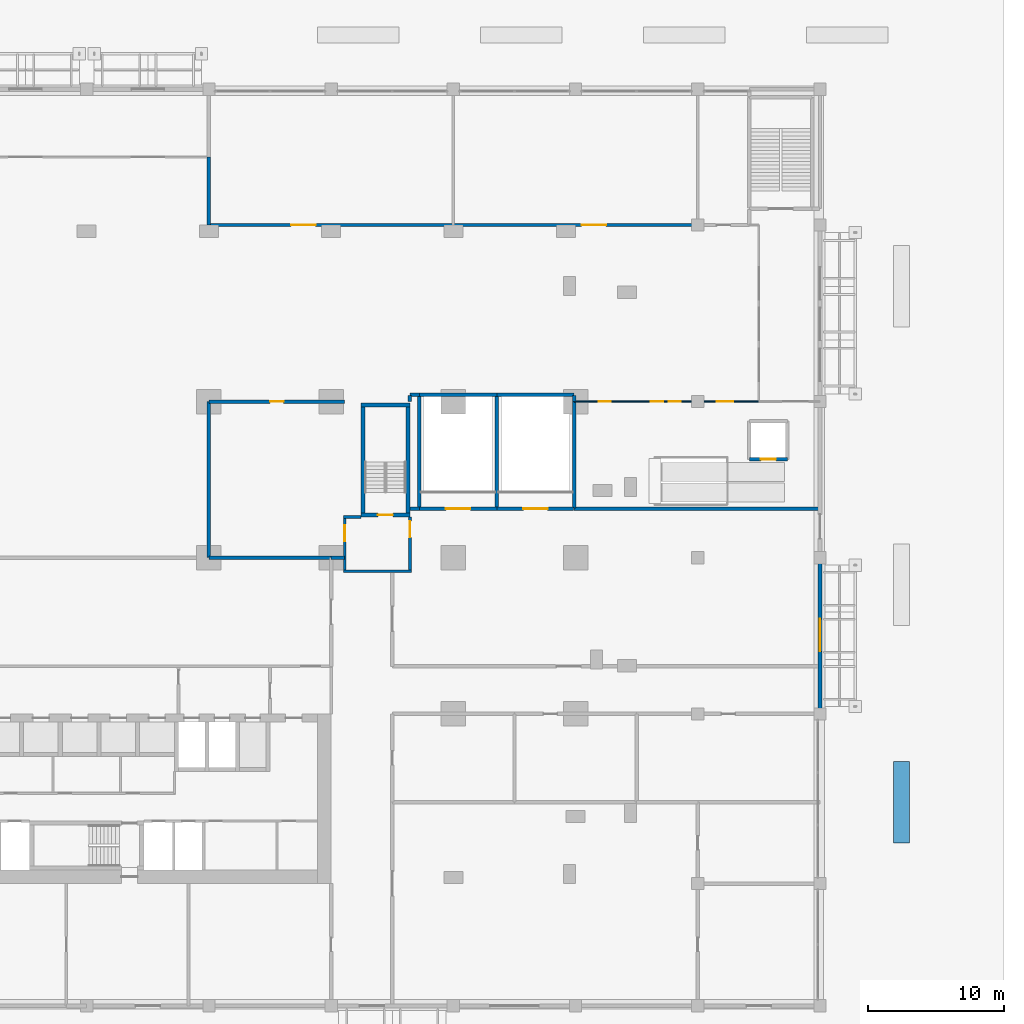
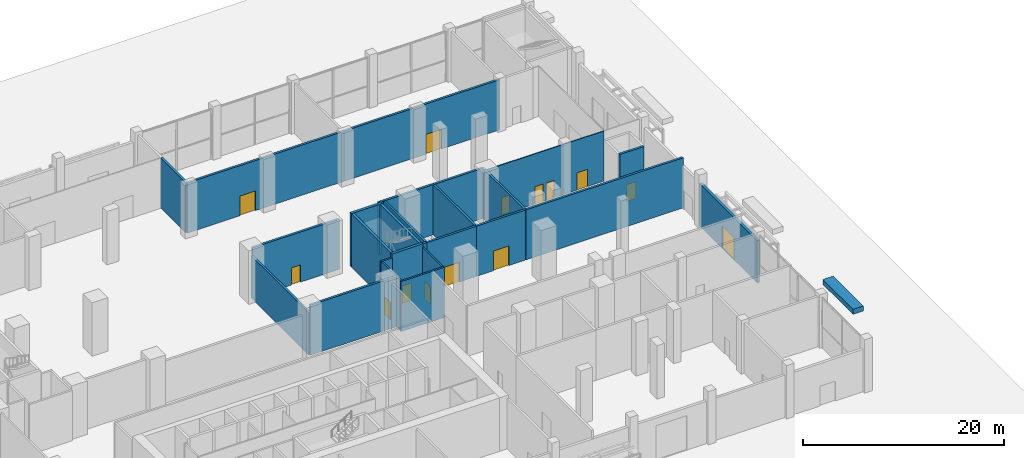
# One storey, part 34 of 39: 31 walls, 14 doors, 14 openings.
"""IFC4 building model written with IfcOpenShell, lengths in metres."""

from ifc_helpers import new_model, si_unit, direction, frame, frame_2d, origin, place, context, subcontext, project, spatial, rectangle, extrude, material, layer, layer_set, type_object, element, fill, save


model = new_model("IFC4")

# Units and contexts
model_context = context("Model", 3, precision=1e-05, world=origin(), true_north=direction((0.0, 1.0)))
body_context = subcontext(model_context, "Body", "Model", "MODEL_VIEW")
ifc_project = project(units=[si_unit("LENGTHUNIT", "METRE"), si_unit("AREAUNIT", "SQUARE_METRE"), si_unit("VOLUMEUNIT", "CUBIC_METRE"), si_unit("PLANEANGLEUNIT", "RADIAN"), si_unit("MASSUNIT", "GRAM", prefix="KILO")], contexts=[model_context])

# Site, building, storey
site_placement = place(None, origin())
site = spatial("IfcSite", under=ifc_project, at=site_placement, CompositionType="ELEMENT")
building_placement = place(site_placement, origin())
building = spatial("IfcBuilding", under=site, at=building_placement, Name="Brigalow Station Residences", CompositionType="ELEMENT")
storey_placement = place(building_placement, origin())
storey = spatial("IfcBuildingStorey", under=building, at=storey_placement, Name="L00", CompositionType="ELEMENT", Elevation=0.0)

# Wall, opening, door
ifc_material_1 = material(Name="Concrete C80", Category="concrete")
ifc_layer_1 = layer(ifc_material_1, 0.300048828125)
ifc_layer_set_1 = layer_set([ifc_layer_1], Name="CORE SHEAR WALL 300 C80")
wall_type_1 = type_object("IfcWallType", Name="CORE SHEAR WALL 300 C80", PredefinedType="SHEAR", material=ifc_layer_set_1)
wall_1_placement = place(storey_placement, frame((56.199951171875, 27.14990234375, 0.0), z_axis=(0.0, 0.0, 1.0), x_axis=(1.0, 0.0, 0.0)))
wall_1 = element("IfcWall", 1, at=wall_1_placement, inside=storey, type_object=wall_type_1, Name="CORE WALL ST-S3-S L00", PredefinedType="SHEAR", context=body_context, shape_type="SweptSolid", body=[
    extrude(rectangle(XDim=3.60009765625, YDim=0.300048828125, at=frame_2d((1.800048828125, 0.0))), origin(), (0.0, 0.0, 1.0), 6.5),
])
opening_1_placement = place(wall_1_placement, frame((1.25, 0.0, 0.0)))
opening_1 = element("IfcOpeningElement", 2, at=opening_1_placement, cuts=wall_1, Name="Opening D-5018", PredefinedType="OPENING", context=body_context, shape_type="SweptSolid", body=[
    extrude(rectangle(XDim=1.10009765625, YDim=2.10009765625, at=frame_2d((0.550048828125, 1.050048828125))), frame((0.0, 0.16015625, 0.0), z_axis=(0.0, -1.0, 0.0), x_axis=(1.0, 0.0, 0.0)), (0.0, 0.0, 1.0), 0.320068359375),
])
ifc_material_2 = material(Name="Steel fire door leaf in steel frame", Category="steel")
door_type_1 = type_object("IfcDoorType", Name="STAIR DOOR 1100 x 2100 FD60S", OperationType="SINGLE_SWING_LEFT", PredefinedType="DOOR", material=ifc_material_2)
door_1_placement = place(opening_1_placement, origin())
door_1 = element("IfcDoor", 3, at=door_1_placement, inside=storey, type_object=door_type_1, Name="D-5018", OperationType="SINGLE_SWING_LEFT", OverallHeight=2.10009765625, OverallWidth=1.10009765625, PredefinedType="DOOR", context=body_context, shape_type="SweptSolid", body=[
    extrude(rectangle(XDim=1.10009765625, YDim=2.10009765625, at=frame_2d((0.550048828125, 1.050048828125))), frame((0.0, 0.02490234375, 0.0), z_axis=(0.0, -1.0, 0.0), x_axis=(1.0, 0.0, 0.0)), (0.0, 0.0, 1.0), 0.050048828125),
])
fill(opening_1, door_1)

# Walls
wall_2_placement = place(storey_placement, frame((56.199951171875, 35.25, 0.0), z_axis=(0.0, 0.0, 1.0), x_axis=(1.0, 0.0, 0.0)))
element("IfcWall", 4, at=wall_2_placement, inside=storey, type_object=wall_type_1, Name="CORE WALL ST-S3-N L00", PredefinedType="SHEAR", context=body_context, shape_type="SweptSolid", body=[
    extrude(rectangle(XDim=3.60009765625, YDim=0.300048828125, at=frame_2d((1.800048828125, 0.0))), origin(), (0.0, 0.0, 1.0), 6.5),
])
for number, where, z_axis, x_axis, name in (
    (5, (56.35009765625, 27.300048828125, 0.0), (0.0, 0.0, 1.0), (0.0, 1.0, 0.0), "CORE WALL ST-S3-W L00"),
    (6, (59.64990234375, 27.300048828125, 0.0), (0.0, 0.0, 1.0), (0.0, 1.0, 0.0), "CORE WALL ST-S3-E L00"),
):
    element("IfcWall", number, at=place(storey_placement, frame(where, z_axis=z_axis, x_axis=x_axis)), inside=storey, type_object=wall_type_1, Name=name, PredefinedType="SHEAR", context=body_context, shape_type="SweptSolid", body=[
        extrude(rectangle(XDim=7.800048828125, YDim=0.300048828125, at=frame_2d((3.89990234375, 0.0))), origin(), (0.0, 0.0, 1.0), 6.5),
    ])

# Wall, opening, door
ifc_material_3 = material(Name="Glass and aluminium shopfront on a masonry base", Category="masonry")
ifc_layer_2 = layer(ifc_material_3, 0.300048828125)
ifc_layer_set_2 = layer_set([ifc_layer_2], Name="ENTRANCE INFILL 300")
wall_type_2 = type_object("IfcWallType", Name="ENTRANCE INFILL 300", PredefinedType="SOLIDWALL", material=ifc_layer_set_2)
wall_3_placement = place(storey_placement, frame((90.0, 12.5, 0.0), z_axis=(0.0, 0.0, 1.0), x_axis=(0.0, 1.0, 0.0)))
wall_3 = element("IfcWall", 7, at=wall_3_placement, inside=storey, type_object=wall_type_2, Name="Entrance Infill 300 East Exit Lobby / OUT", PredefinedType="SOLIDWALL", context=body_context, shape_type="SweptSolid", body=[
    extrude(rectangle(XDim=11.5, YDim=0.300048828125, at=frame_2d((5.75, 0.0))), origin(), (0.0, 0.0, 1.0), 5.14794921875),
])
opening_2_placement = place(wall_3_placement, frame((4.60009765625, 0.0, 0.0)))
opening_2 = element("IfcOpeningElement", 8, at=opening_2_placement, cuts=wall_3, Name="Opening D-7110", PredefinedType="OPENING", context=body_context, shape_type="SweptSolid", body=[
    extrude(rectangle(XDim=2.39990234375, YDim=2.699951171875, at=frame_2d((1.199951171875, 1.35009765625))), frame((0.0, 0.16015625, 0.0), z_axis=(0.0, -1.0, 0.0), x_axis=(1.0, 0.0, 0.0)), (0.0, 0.0, 1.0), 0.320068359375),
])
ifc_material_4 = material(Name="Fire-rated glass leaves in steel frame", Category="steel")
door_type_2 = type_object("IfcDoorType", Name="DOOR DOUBLE 2400 GLAZED FIRE", OperationType="DOUBLE_DOOR_SINGLE_SWING", PredefinedType="DOOR", material=ifc_material_4)
door_2_placement = place(opening_2_placement, frame((2.39990234375, 0.0, 0.0), z_axis=(0.0, 0.0, 1.0), x_axis=(-1.0, 0.0, 0.0)))
door_2 = element("IfcDoor", 9, at=door_2_placement, inside=storey, type_object=door_type_2, Name="East exit lobby door", OperationType="DOUBLE_DOOR_SINGLE_SWING", OverallHeight=2.699951171875, OverallWidth=2.39990234375, PredefinedType="DOOR", context=body_context, shape_type="SweptSolid", body=[
    extrude(rectangle(XDim=2.39990234375, YDim=2.699951171875, at=frame_2d((1.199951171875, 1.35009765625))), frame((0.0, 0.02490234375, 0.0), z_axis=(0.0, -1.0, 0.0), x_axis=(1.0, 0.0, 0.0)), (0.0, 0.0, 1.0), 0.050048828125),
])
fill(opening_2, door_2)

# Wall
ifc_material_5 = material(Name="Fire-rated plasterboard on steel studs", Category="steel")
ifc_layer_3 = layer(ifc_material_5, 0.25)
ifc_layer_set_3 = layer_set([ifc_layer_3], Name="FIRE PARTITION 250")
wall_type_3 = type_object("IfcWallType", Name="FIRE PARTITION 250", PredefinedType="PARTITIONING", material=ifc_layer_set_3)
wall_4_placement = place(storey_placement, frame((45.0, 24.0, 0.0), z_axis=(0.0, 0.0, 1.0), x_axis=(1.0, 0.0, 0.0)))
element("IfcWall", 10, at=wall_4_placement, inside=storey, type_object=wall_type_3, Name="Fire Partition 250 Residents' Lobby / Station Control Room", PredefinedType="PARTITIONING", context=body_context, shape_type="SweptSolid", body=[
    extrude(rectangle(XDim=9.0, YDim=0.25, at=frame_2d((4.5, 0.0))), origin(), (0.0, 0.0, 1.0), 6.097900390625),
])

# Wall, opening, door
wall_5_placement = place(storey_placement, frame((45.0, 35.5, 0.0), z_axis=(0.0, 0.0, 1.0), x_axis=(1.0, 0.0, 0.0)))
wall_5 = element("IfcWall", 11, at=wall_5_placement, inside=storey, type_object=wall_type_3, Name="Fire Partition 250 Station Control Room / Concourse", PredefinedType="PARTITIONING", context=body_context, shape_type="SweptSolid", body=[
    extrude(rectangle(XDim=10.0, YDim=0.25, at=frame_2d((5.0, 0.0))), origin(), (0.0, 0.0, 1.0), 6.097900390625),
])
opening_3_placement = place(wall_5_placement, frame((4.5, 0.0, 0.0)))
opening_3 = element("IfcOpeningElement", 12, at=opening_3_placement, cuts=wall_5, Name="Opening D-7140", PredefinedType="OPENING", context=body_context, shape_type="SweptSolid", body=[
    extrude(rectangle(XDim=1.0, YDim=2.10009765625, at=frame_2d((0.5, 1.050048828125))), frame((0.0, 0.135009765625, 0.0), z_axis=(0.0, -1.0, 0.0), x_axis=(1.0, 0.0, 0.0)), (0.0, 0.0, 1.0), 0.27001953125),
])
ifc_material_6 = material(Name="Steel fire door leaf in steel frame", Category="steel")
door_type_3 = type_object("IfcDoorType", Name="DOOR SINGLE 1000 FIRE", OperationType="SINGLE_SWING_LEFT", PredefinedType="DOOR", material=ifc_material_6)
door_3_placement = place(opening_3_placement, frame((1.0, 0.0, 0.0), z_axis=(0.0, 0.0, 1.0), x_axis=(-1.0, 0.0, 0.0)))
door_3 = element("IfcDoor", 13, at=door_3_placement, inside=storey, type_object=door_type_3, Name="Station control room door", OperationType="SINGLE_SWING_LEFT", OverallHeight=2.10009765625, OverallWidth=1.0, PredefinedType="DOOR", context=body_context, shape_type="SweptSolid", body=[
    extrude(rectangle(XDim=1.0, YDim=2.10009765625, at=frame_2d((0.5, 1.050048828125))), frame((0.0, 0.02490234375, 0.0), z_axis=(0.0, -1.0, 0.0), x_axis=(1.0, 0.0, 0.0)), (0.0, 0.0, 1.0), 0.050048828125),
])
fill(opening_3, door_3)

# Walls
wall_6_placement = place(storey_placement, frame((45.0, 24.0, 0.0), z_axis=(0.0, 0.0, 1.0), x_axis=(0.0, 1.0, 0.0)))
element("IfcWall", 14, at=wall_6_placement, inside=storey, type_object=wall_type_3, Name="Fire Partition 250 Station Control Room / Atrium", PredefinedType="PARTITIONING", context=body_context, shape_type="SweptSolid", body=[
    extrude(rectangle(XDim=11.5, YDim=0.25, at=frame_2d((5.75, 0.0))), origin(), (0.0, 0.0, 1.0), 5.14794921875),
])
wall_7_placement = place(storey_placement, frame((54.0, 24.0, 0.0), z_axis=(0.0, 0.0, 1.0), x_axis=(1.0, 0.0, 0.0)))
element("IfcWall", 15, at=wall_7_placement, inside=storey, type_object=wall_type_3, Name="Fire Partition 250 Station Control Room / Service Corridor", PredefinedType="PARTITIONING", context=body_context, shape_type="SweptSolid", body=[
    extrude(rectangle(XDim=1.0, YDim=0.25, at=frame_2d((0.5, 0.0))), origin(), (0.0, 0.0, 1.0), 6.097900390625),
])
wall_8_placement = place(storey_placement, frame((59.800048828125, 36.0, 0.0), z_axis=(0.0, 0.0, 1.0), x_axis=(1.0, 0.0, 0.0)))
element("IfcWall", 16, at=wall_8_placement, inside=storey, type_object=wall_type_3, Name="Fire Partition 250 Concourse / Exit Stair Es1 Services Riser", PredefinedType="PARTITIONING", context=body_context, shape_type="SweptSolid", body=[
    extrude(rectangle(XDim=0.699951171875, YDim=0.25, at=frame_2d((0.35009765625, 0.0))), origin(), (0.0, 0.0, 1.0), 6.097900390625),
])
wall_9_placement = place(storey_placement, frame((59.800048828125, 35.5, 0.0), z_axis=(0.0, 0.0, 1.0), x_axis=(0.0, 1.0, 0.0)))
element("IfcWall", 17, at=wall_9_placement, inside=storey, type_object=wall_type_3, Name="Fire Partition 250 Concourse / Exit Stair Es1 Services Riser", PredefinedType="PARTITIONING", context=body_context, shape_type="SweptSolid", body=[
    extrude(rectangle(XDim=0.455078125, YDim=0.25, at=frame_2d((0.2275390625, 0.0))), origin(), (0.0, 0.0, 1.0), 6.097900390625),
])

# Wall, opening, door
wall_10_placement = place(storey_placement, frame((45.0, 48.5, 0.0), z_axis=(0.0, 0.0, 1.0), x_axis=(1.0, 0.0, 0.0)))
wall_10 = element("IfcWall", 18, at=wall_10_placement, inside=storey, type_object=wall_type_3, Name="Fire Partition 250 Concourse / Cafe", PredefinedType="PARTITIONING", context=body_context, shape_type="SweptSolid", body=[
    extrude(rectangle(XDim=18.0, YDim=0.25, at=frame_2d((9.0, 0.0))), origin(), (0.0, 0.0, 1.0), 6.097900390625),
])
opening_4_placement = place(wall_10_placement, frame((6.050048828125, 0.0, 0.0)))
opening_4 = element("IfcOpeningElement", 19, at=opening_4_placement, cuts=wall_10, Name="Opening D-7146", PredefinedType="OPENING", context=body_context, shape_type="SweptSolid", body=[
    extrude(rectangle(XDim=1.800048828125, YDim=2.39990234375, at=frame_2d((0.89990234375, 1.199951171875))), frame((0.0, 0.135009765625, 0.0), z_axis=(0.0, -1.0, 0.0), x_axis=(1.0, 0.0, 0.0)), (0.0, 0.0, 1.0), 0.27001953125),
])
ifc_material_7 = material(Name="Steel fire door leaves in steel frame", Category="steel")
door_type_4 = type_object("IfcDoorType", Name="DOOR DOUBLE 1800 FIRE", OperationType="DOUBLE_DOOR_SINGLE_SWING", PredefinedType="DOOR", material=ifc_material_7)
door_4_placement = place(opening_4_placement, frame((1.800048828125, 0.0, 0.0), z_axis=(0.0, 0.0, 1.0), x_axis=(-1.0, 0.0, 0.0)))
door_4 = element("IfcDoor", 20, at=door_4_placement, inside=storey, type_object=door_type_4, Name="Cafe door", OperationType="DOUBLE_DOOR_SINGLE_SWING", OverallHeight=2.39990234375, OverallWidth=1.800048828125, PredefinedType="DOOR", context=body_context, shape_type="SweptSolid", body=[
    extrude(rectangle(XDim=1.800048828125, YDim=2.39990234375, at=frame_2d((0.89990234375, 1.199951171875))), frame((0.0, 0.02490234375, 0.0), z_axis=(0.0, -1.0, 0.0), x_axis=(1.0, 0.0, 0.0)), (0.0, 0.0, 1.0), 0.050048828125),
])
fill(opening_4, door_4)

# Wall
wall_11_placement = place(storey_placement, frame((45.0, 48.5, 0.0), z_axis=(0.0, 0.0, 1.0), x_axis=(0.0, 1.0, 0.0)))
element("IfcWall", 21, at=wall_11_placement, inside=storey, type_object=wall_type_3, Name="Fire Partition 250 Concourse / Cafe", PredefinedType="PARTITIONING", context=body_context, shape_type="SweptSolid", body=[
    extrude(rectangle(XDim=5.0, YDim=0.25, at=frame_2d((2.5, 0.0))), origin(), (0.0, 0.0, 1.0), 6.097900390625),
])

# Wall, opening, door
wall_12_placement = place(storey_placement, frame((63.0, 48.5, 0.0), z_axis=(0.0, 0.0, 1.0), x_axis=(1.0, 0.0, 0.0)))
wall_12 = element("IfcWall", 22, at=wall_12_placement, inside=storey, type_object=wall_type_3, Name="Fire Partition 250 Concourse / Convenience Shop", PredefinedType="PARTITIONING", context=body_context, shape_type="SweptSolid", body=[
    extrude(rectangle(XDim=18.0, YDim=0.25, at=frame_2d((9.0, 0.0))), origin(), (0.0, 0.0, 1.0), 6.097900390625),
])
opening_5_placement = place(wall_12_placement, frame((9.449951171875, 0.0, 0.0)))
opening_5 = element("IfcOpeningElement", 23, at=opening_5_placement, cuts=wall_12, Name="Opening D-7147", PredefinedType="OPENING", context=body_context, shape_type="SweptSolid", body=[
    extrude(rectangle(XDim=1.800048828125, YDim=2.39990234375, at=frame_2d((0.89990234375, 1.199951171875))), frame((0.0, 0.135009765625, 0.0), z_axis=(0.0, -1.0, 0.0), x_axis=(1.0, 0.0, 0.0)), (0.0, 0.0, 1.0), 0.27001953125),
])
door_5_placement = place(opening_5_placement, origin())
door_5 = element("IfcDoor", 24, at=door_5_placement, inside=storey, type_object=door_type_4, Name="Convenience shop door", OperationType="DOUBLE_DOOR_SINGLE_SWING", OverallHeight=2.39990234375, OverallWidth=1.800048828125, PredefinedType="DOOR", context=body_context, shape_type="SweptSolid", body=[
    extrude(rectangle(XDim=1.800048828125, YDim=2.39990234375, at=frame_2d((0.89990234375, 1.199951171875))), frame((0.0, 0.02490234375, 0.0), z_axis=(0.0, -1.0, 0.0), x_axis=(1.0, 0.0, 0.0)), (0.0, 0.0, 1.0), 0.050048828125),
])
fill(opening_5, door_5)

# Walls
wall_13_placement = place(storey_placement, frame((71.89990234375, 27.60009765625, 0.0), z_axis=(0.0, 0.0, 1.0), x_axis=(1.0, 0.0, 0.0)))
element("IfcWall", 25, at=wall_13_placement, inside=storey, type_object=wall_type_3, Name="Fire Partition 250 Station Paid Area / Stair S3 Exit Passage", PredefinedType="PARTITIONING", context=body_context, shape_type="SweptSolid", body=[
    extrude(rectangle(XDim=18.10009765625, YDim=0.25, at=frame_2d((9.050048828125, 0.0))), origin(), (0.0, 0.0, 1.0), 6.097900390625),
])
wall_14_placement = place(storey_placement, frame((59.800048828125, 27.60009765625, 0.0), z_axis=(0.0, 0.0, 1.0), x_axis=(1.0, 0.0, 0.0)))
element("IfcWall", 26, at=wall_14_placement, inside=storey, type_object=wall_type_3, Name="Fire Partition 250 Stair S3 Exit Passage / Exit Stair Es1 Services Riser", PredefinedType="PARTITIONING", context=body_context, shape_type="SweptSolid", body=[
    extrude(rectangle(XDim=0.699951171875, YDim=0.25, at=frame_2d((0.35009765625, 0.0))), origin(), (0.0, 0.0, 1.0), 6.097900390625),
])
ifc_material_8 = material(Name="Concrete blockwork", Category="masonry")
ifc_layer_4 = layer(ifc_material_8, 0.199951171875)
ifc_layer_set_4 = layer_set([ifc_layer_4], Name="FIRE RATED CORE PARTITION 200")
wall_type_4 = type_object("IfcWallType", Name="FIRE RATED CORE PARTITION 200", PredefinedType="PARTITIONING", material=ifc_layer_set_4)
wall_15_placement = place(storey_placement, frame((54.89990234375, 23.0, 0.0), z_axis=(0.0, 0.0, 1.0), x_axis=(1.0, 0.0, 0.0)))
element("IfcWall", 27, at=wall_15_placement, inside=storey, type_object=wall_type_4, Name="PW-5024", PredefinedType="PARTITIONING", context=body_context, shape_type="SweptSolid", body=[
    extrude(rectangle(XDim=5.0, YDim=0.199951171875, at=frame_2d((2.5, 0.0))), origin(), (0.0, 0.0, 1.0), 6.097900390625),
])
wall_16_placement = place(storey_placement, frame((54.89990234375, 27.0, 0.0), z_axis=(0.0, 0.0, 1.0), x_axis=(1.0, 0.0, 0.0)))
element("IfcWall", 28, at=wall_16_placement, inside=storey, type_object=wall_type_4, Name="PW-5026", PredefinedType="PARTITIONING", context=body_context, shape_type="SweptSolid", body=[
    extrude(rectangle(XDim=1.300048828125, YDim=0.199951171875, at=frame_2d((0.64990234375, 0.0))), origin(), (0.0, 0.0, 1.0), 6.097900390625),
])

# Wall, opening, door
wall_17_placement = place(storey_placement, frame((55.0, 23.10009765625, 0.0), z_axis=(0.0, 0.0, 1.0), x_axis=(0.0, 1.0, 0.0)))
wall_17 = element("IfcWall", 29, at=wall_17_placement, inside=storey, type_object=wall_type_4, Name="PW-5036", PredefinedType="PARTITIONING", context=body_context, shape_type="SweptSolid", body=[
    extrude(rectangle(XDim=3.7998046875, YDim=0.199951171875, at=frame_2d((1.89990234375, 0.0))), origin(), (0.0, 0.0, 1.0), 6.097900390625),
])
opening_6_placement = place(wall_17_placement, frame((2.10009765625, 0.0, 0.0)))
opening_6 = element("IfcOpeningElement", 30, at=opening_6_placement, cuts=wall_17, Name="Opening D-5019", PredefinedType="OPENING", context=body_context, shape_type="SweptSolid", body=[
    extrude(rectangle(XDim=1.199951171875, YDim=2.10009765625, at=frame_2d((0.60009765625, 1.050048828125))), frame((0.0, 0.10986328125, 0.0), z_axis=(0.0, -1.0, 0.0), x_axis=(1.0, 0.0, 0.0)), (0.0, 0.0, 1.0), 0.219970703125),
])
ifc_material_9 = material(Name="Steel fire door leaf in steel frame", Category="steel")
door_type_5 = type_object("IfcDoorType", Name="STAIR LOBBY DOOR 1200 x 2100 FD60S", OperationType="SINGLE_SWING_LEFT", PredefinedType="DOOR", material=ifc_material_9)
door_6_placement = place(opening_6_placement, origin())
door_6 = element("IfcDoor", 31, at=door_6_placement, inside=storey, type_object=door_type_5, Name="D-5019", OperationType="SINGLE_SWING_LEFT", OverallHeight=2.10009765625, OverallWidth=1.199951171875, PredefinedType="DOOR", context=body_context, shape_type="SweptSolid", body=[
    extrude(rectangle(XDim=1.199951171875, YDim=2.10009765625, at=frame_2d((0.60009765625, 1.050048828125))), frame((0.0, 0.02490234375, 0.0), z_axis=(0.0, -1.0, 0.0), x_axis=(1.0, 0.0, 0.0)), (0.0, 0.0, 1.0), 0.050048828125),
])
fill(opening_6, door_6)

wall_18_placement = place(storey_placement, frame((59.800048828125, 23.10009765625, 0.0), z_axis=(0.0, 0.0, 1.0), x_axis=(0.0, 1.0, 0.0)))
wall_18 = element("IfcWall", 32, at=wall_18_placement, inside=storey, type_object=wall_type_4, Name="PW-5037", PredefinedType="PARTITIONING", context=body_context, shape_type="SweptSolid", body=[
    extrude(rectangle(XDim=3.89990234375, YDim=0.199951171875, at=frame_2d((1.949951171875, 0.0))), origin(), (0.0, 0.0, 1.0), 6.097900390625),
])
opening_7_placement = place(wall_18_placement, frame((2.39990234375, 0.0, 0.0)))
opening_7 = element("IfcOpeningElement", 33, at=opening_7_placement, cuts=wall_18, Name="Opening D-5020", PredefinedType="OPENING", context=body_context, shape_type="SweptSolid", body=[
    extrude(rectangle(XDim=1.199951171875, YDim=2.10009765625, at=frame_2d((0.60009765625, 1.050048828125))), frame((0.0, 0.10986328125, 0.0), z_axis=(0.0, -1.0, 0.0), x_axis=(1.0, 0.0, 0.0)), (0.0, 0.0, 1.0), 0.219970703125),
])
ifc_material_10 = material(Name="Steel fire door leaves in steel frame", Category="steel")
door_type_6 = type_object("IfcDoorType", Name="EXIT DOOR 1200 x 2100 FD60S", OperationType="SINGLE_SWING_LEFT", PredefinedType="DOOR", material=ifc_material_10)
door_7_placement = place(opening_7_placement, frame((1.199951171875, 0.0, 0.0), z_axis=(0.0, 0.0, 1.0), x_axis=(-1.0, 0.0, 0.0)))
door_7 = element("IfcDoor", 34, at=door_7_placement, inside=storey, type_object=door_type_6, Name="D-5020", OperationType="SINGLE_SWING_LEFT", OverallHeight=2.10009765625, OverallWidth=1.199951171875, PredefinedType="DOOR", context=body_context, shape_type="SweptSolid", body=[
    extrude(rectangle(XDim=1.199951171875, YDim=2.10009765625, at=frame_2d((0.60009765625, 1.050048828125))), frame((0.0, 0.02490234375, 0.0), z_axis=(0.0, -1.0, 0.0), x_axis=(1.0, 0.0, 0.0)), (0.0, 0.0, 1.0), 0.050048828125),
])
fill(opening_7, door_7)

# Wall, openings, doors
ifc_material_11 = material(Name="Toughened glass in stainless steel frame", Category="steel")
ifc_layer_5 = layer(ifc_material_11, 0.10009765625)
ifc_layer_set_5 = layer_set([ifc_layer_5], Name="GLAZED SCREEN 100")
wall_type_5 = type_object("IfcWallType", Name="GLAZED SCREEN 100", PredefinedType="PARTITIONING", material=ifc_layer_set_5)
wall_19_placement = place(storey_placement, frame((71.89990234375, 35.5, 0.0), z_axis=(0.0, 0.0, 1.0), x_axis=(1.0, 0.0, 0.0)))
wall_19 = element("IfcWall", 35, at=wall_19_placement, inside=storey, type_object=wall_type_5, Name="Glazed Screen 100 Concourse / Station Paid Area", PredefinedType="PARTITIONING", context=body_context, shape_type="SweptSolid", body=[
    extrude(rectangle(XDim=13.60009765625, YDim=0.10009765625, at=frame_2d((6.800048828125, 0.0))), origin(), (0.0, 0.0, 1.0), 6.097900390625),
])
opening_8_placement = place(wall_19_placement, frame((10.5, 0.0, 0.0)))
opening_8 = element("IfcOpeningElement", 36, at=opening_8_placement, cuts=wall_19, Name="Opening D-7167", PredefinedType="OPENING", context=body_context, shape_type="SweptSolid", body=[
    extrude(rectangle(XDim=1.199951171875, YDim=2.10009765625, at=frame_2d((0.60009765625, 1.050048828125))), frame((0.0, 0.06005859375, 0.0), z_axis=(0.0, -1.0, 0.0), x_axis=(1.0, 0.0, 0.0)), (0.0, 0.0, 1.0), 0.1201171875),
])
opening_9_placement = place(wall_19_placement, frame((1.800048828125, 0.0, 0.0)))
opening_9 = element("IfcOpeningElement", 37, at=opening_9_placement, cuts=wall_19, Name="Opening D-7168", PredefinedType="OPENING", context=body_context, shape_type="SweptSolid", body=[
    extrude(rectangle(XDim=0.89990234375, YDim=2.10009765625, at=frame_2d((0.449951171875, 1.050048828125))), frame((0.0, 0.06005859375, 0.0), z_axis=(0.0, -1.0, 0.0), x_axis=(1.0, 0.0, 0.0)), (0.0, 0.0, 1.0), 0.1201171875),
])
opening_10_placement = place(wall_19_placement, frame((5.64990234375, 0.0, 0.0)))
opening_10 = element("IfcOpeningElement", 38, at=opening_10_placement, cuts=wall_19, Name="Opening D-7169", PredefinedType="OPENING", context=body_context, shape_type="SweptSolid", body=[
    extrude(rectangle(XDim=0.89990234375, YDim=2.10009765625, at=frame_2d((0.449951171875, 1.050048828125))), frame((0.0, 0.06005859375, 0.0), z_axis=(0.0, -1.0, 0.0), x_axis=(1.0, 0.0, 0.0)), (0.0, 0.0, 1.0), 0.1201171875),
])
opening_11_placement = place(wall_19_placement, frame((6.949951171875, 0.0, 0.0)))
opening_11 = element("IfcOpeningElement", 39, at=opening_11_placement, cuts=wall_19, Name="Opening D-7170", PredefinedType="OPENING", context=body_context, shape_type="SweptSolid", body=[
    extrude(rectangle(XDim=0.89990234375, YDim=2.10009765625, at=frame_2d((0.449951171875, 1.050048828125))), frame((0.0, 0.06005859375, 0.0), z_axis=(0.0, -1.0, 0.0), x_axis=(1.0, 0.0, 0.0)), (0.0, 0.0, 1.0), 0.1201171875),
])
ifc_material_12 = material(Name="Toughened glass leaves in stainless steel frame", Category="steel")
door_type_7 = type_object("IfcDoorType", Name="GATE FARE 1200 ACCESSIBLE", OperationType="DOUBLE_DOOR_SINGLE_SWING", PredefinedType="GATE", material=ifc_material_12)
door_8_placement = place(opening_8_placement, frame((1.199951171875, 0.0, 0.0), z_axis=(0.0, 0.0, 1.0), x_axis=(-1.0, 0.0, 0.0)))
door_8 = element("IfcDoor", 40, at=door_8_placement, inside=storey, type_object=door_type_7, Name="Accessible fare gate", OperationType="DOUBLE_DOOR_SINGLE_SWING", OverallHeight=2.10009765625, OverallWidth=1.199951171875, PredefinedType="GATE", context=body_context, shape_type="SweptSolid", body=[
    extrude(rectangle(XDim=1.199951171875, YDim=2.10009765625, at=frame_2d((0.60009765625, 1.050048828125))), frame((0.0, 0.02490234375, 0.0), z_axis=(0.0, -1.0, 0.0), x_axis=(1.0, 0.0, 0.0)), (0.0, 0.0, 1.0), 0.050048828125),
])
fill(opening_8, door_8)
ifc_material_13 = material(Name="Toughened glass leaf in stainless steel frame", Category="steel")
door_type_8 = type_object("IfcDoorType", Name="GATE FARE 900", OperationType="SINGLE_SWING_LEFT", PredefinedType="GATE", material=ifc_material_13)
door_9_placement = place(opening_9_placement, frame((0.89990234375, 0.0, 0.0), z_axis=(0.0, 0.0, 1.0), x_axis=(-1.0, 0.0, 0.0)))
door_9 = element("IfcDoor", 41, at=door_9_placement, inside=storey, type_object=door_type_8, Name="Fare gate", OperationType="SINGLE_SWING_RIGHT", OverallHeight=2.10009765625, OverallWidth=0.89990234375, PredefinedType="GATE", context=body_context, shape_type="SweptSolid", body=[
    extrude(rectangle(XDim=0.89990234375, YDim=2.10009765625, at=frame_2d((0.449951171875, 1.050048828125))), frame((0.0, 0.02490234375, 0.0), z_axis=(0.0, -1.0, 0.0), x_axis=(1.0, 0.0, 0.0)), (0.0, 0.0, 1.0), 0.050048828125),
])
fill(opening_9, door_9)
door_10_placement = place(opening_10_placement, frame((0.89990234375, 0.0, 0.0), z_axis=(0.0, 0.0, 1.0), x_axis=(-1.0, 0.0, 0.0)))
door_10 = element("IfcDoor", 42, at=door_10_placement, inside=storey, type_object=door_type_8, Name="Fare gate", OperationType="SINGLE_SWING_RIGHT", OverallHeight=2.10009765625, OverallWidth=0.89990234375, PredefinedType="GATE", context=body_context, shape_type="SweptSolid", body=[
    extrude(rectangle(XDim=0.89990234375, YDim=2.10009765625, at=frame_2d((0.449951171875, 1.050048828125))), frame((0.0, 0.02490234375, 0.0), z_axis=(0.0, -1.0, 0.0), x_axis=(1.0, 0.0, 0.0)), (0.0, 0.0, 1.0), 0.050048828125),
])
fill(opening_10, door_10)
door_11_placement = place(opening_11_placement, frame((0.89990234375, 0.0, 0.0), z_axis=(0.0, 0.0, 1.0), x_axis=(-1.0, 0.0, 0.0)))
door_11 = element("IfcDoor", 43, at=door_11_placement, inside=storey, type_object=door_type_8, Name="Fare gate", OperationType="SINGLE_SWING_RIGHT", OverallHeight=2.10009765625, OverallWidth=0.89990234375, PredefinedType="GATE", context=body_context, shape_type="SweptSolid", body=[
    extrude(rectangle(XDim=0.89990234375, YDim=2.10009765625, at=frame_2d((0.449951171875, 1.050048828125))), frame((0.0, 0.02490234375, 0.0), z_axis=(0.0, -1.0, 0.0), x_axis=(1.0, 0.0, 0.0)), (0.0, 0.0, 1.0), 0.050048828125),
])
fill(opening_11, door_11)

# Wall
ifc_material_14 = material(Name="Concrete C50", Category="concrete")
ifc_layer_6 = layer(ifc_material_14, 1.199951171875)
ifc_layer_set_6 = layer_set([ifc_layer_6], Name="PLANTER 1200")
wall_type_6 = type_object("IfcWallType", Name="PLANTER 1200", PredefinedType="USERDEFINED", material=ifc_layer_set_6)
wall_20_placement = place(storey_placement, frame((96.0, 3.0, 0.0), z_axis=(0.0, 0.0, 1.0), x_axis=(0.0, 1.0, 0.0)))
element("IfcWall", 44, at=wall_20_placement, inside=storey, type_object=wall_type_6, Name="Planter EAST-1", ObjectType="PLANTER", PredefinedType="USERDEFINED", context=body_context, shape_type="SweptSolid", body=[
    extrude(rectangle(XDim=6.0, YDim=1.199951171875, at=frame_2d((3.0, 0.0))), origin(), (0.0, 0.0, 1.0), 0.60009765625),
])

# Wall, opening, door
ifc_material_15 = material(Name="Concrete blockwork", Category="masonry")
ifc_layer_7 = layer(ifc_material_15, 0.25)
ifc_layer_set_7 = layer_set([ifc_layer_7], Name="SHAFT WALL 250")
wall_type_7 = type_object("IfcWallType", Name="SHAFT WALL 250", PredefinedType="SOLIDWALL", material=ifc_layer_set_7)
wall_21_placement = place(storey_placement, frame((84.800048828125, 31.25, 0.0), z_axis=(0.0, 0.0, 1.0), x_axis=(1.0, 0.0, 0.0)))
wall_21 = element("IfcWall", 45, at=wall_21_placement, inside=storey, type_object=wall_type_7, Name="Shaft Wall 250 Station Paid Area / Lift Shaft Lp-1", PredefinedType="SOLIDWALL", context=body_context, shape_type="SweptSolid", body=[
    extrude(rectangle(XDim=2.800048828125, YDim=0.25, at=frame_2d((1.39990234375, 0.0))), origin(), (0.0, 0.0, 1.0), 6.097900390625),
])
opening_12_placement = place(wall_21_placement, frame((0.85009765625, 0.0, 0.0)))
opening_12 = element("IfcOpeningElement", 46, at=opening_12_placement, cuts=wall_21, Name="Opening LD-7165", PredefinedType="OPENING", context=body_context, shape_type="SweptSolid", body=[
    extrude(rectangle(XDim=1.10009765625, YDim=2.10009765625, at=frame_2d((0.550048828125, 1.050048828125))), frame((0.0, 0.135009765625, 0.0), z_axis=(0.0, -1.0, 0.0), x_axis=(1.0, 0.0, 0.0)), (0.0, 0.0, 1.0), 0.27001953125),
])
ifc_material_16 = material(Name="Stainless steel sliding door leaves", Category="steel")
door_type_9 = type_object("IfcDoorType", Name="DOOR LIFT LANDING 1100", OperationType="SLIDING_TO_LEFT", PredefinedType="DOOR", material=ifc_material_16)
door_12_placement = place(opening_12_placement, origin())
door_12 = element("IfcDoor", 47, at=door_12_placement, inside=storey, type_object=door_type_9, Name="Landing door station lift L00", OperationType="SLIDING_TO_LEFT", OverallHeight=2.10009765625, OverallWidth=1.10009765625, PredefinedType="DOOR", context=body_context, shape_type="SweptSolid", body=[
    extrude(rectangle(XDim=1.10009765625, YDim=2.10009765625, at=frame_2d((0.550048828125, 1.050048828125))), frame((0.0, 0.02490234375, 0.0), z_axis=(0.0, -1.0, 0.0), x_axis=(1.0, 0.0, 0.0)), (0.0, 0.0, 1.0), 0.050048828125),
])
fill(opening_12, door_12)

# Walls
ifc_material_17 = material(Name="Concrete C50", Category="concrete")
ifc_layer_8 = layer(ifc_material_17, 0.25)
ifc_layer_set_8 = layer_set([ifc_layer_8], Name="STAIR ENCLOSURE 250")
wall_type_8 = type_object("IfcWallType", Name="STAIR ENCLOSURE 250", PredefinedType="SOLIDWALL", material=ifc_layer_set_8)
for number, where, z_axis, x_axis, name in (
    (48, (60.5, 36.0, 0.0), (0.0, 0.0, 1.0), (1.0, 0.0, 0.0), "Stair Enclosure 250 Concourse / Exit Stair Es1"),
    (49, (66.199951171875, 36.0, 0.0), (0.0, 0.0, 1.0), (1.0, 0.0, 0.0), "Stair Enclosure 250 Concourse / Exit Stair Es2"),
):
    element("IfcWall", number, at=place(storey_placement, frame(where, z_axis=z_axis, x_axis=x_axis)), inside=storey, type_object=wall_type_8, Name=name, PredefinedType="SOLIDWALL", context=body_context, shape_type="SweptSolid", body=[
        extrude(rectangle(XDim=5.699951171875, YDim=0.25, at=frame_2d((2.85009765625, 0.0))), origin(), (0.0, 0.0, 1.0), 6.097900390625),
    ])
wall_22_placement = place(storey_placement, frame((71.89990234375, 35.5, 0.0), z_axis=(0.0, 0.0, 1.0), x_axis=(0.0, 1.0, 0.0)))
element("IfcWall", 50, at=wall_22_placement, inside=storey, type_object=wall_type_8, Name="Stair Enclosure 250 Concourse / Exit Stair Es2", PredefinedType="SOLIDWALL", context=body_context, shape_type="SweptSolid", body=[
    extrude(rectangle(XDim=0.455078125, YDim=0.25, at=frame_2d((0.2275390625, 0.0))), origin(), (0.0, 0.0, 1.0), 6.097900390625),
])
wall_23_placement = place(storey_placement, frame((71.89990234375, 27.64501953125, 0.0), z_axis=(0.0, 0.0, 1.0), x_axis=(0.0, 1.0, 0.0)))
element("IfcWall", 51, at=wall_23_placement, inside=storey, type_object=wall_type_8, Name="Stair Enclosure 250 Station Paid Area / Exit Stair Es2", PredefinedType="SOLIDWALL", context=body_context, shape_type="SweptSolid", body=[
    extrude(rectangle(XDim=7.85498046875, YDim=0.25, at=frame_2d((3.927490234375, 0.0))), origin(), (0.0, 0.0, 1.0), 6.097900390625),
])

# Wall, opening, door
wall_24_placement = place(storey_placement, frame((60.5, 27.60009765625, 0.0), z_axis=(0.0, 0.0, 1.0), x_axis=(1.0, 0.0, 0.0)))
wall_24 = element("IfcWall", 52, at=wall_24_placement, inside=storey, type_object=wall_type_8, Name="Stair Enclosure 250 Stair S3 Exit Passage / Exit Stair Es1", PredefinedType="SOLIDWALL", context=body_context, shape_type="SweptSolid", body=[
    extrude(rectangle(XDim=5.699951171875, YDim=0.25, at=frame_2d((2.85009765625, 0.0))), origin(), (0.0, 0.0, 1.0), 6.097900390625),
])
opening_13_placement = place(wall_24_placement, frame((1.949951171875, 0.0, 0.0)))
opening_13 = element("IfcOpeningElement", 53, at=opening_13_placement, cuts=wall_24, Name="Opening D-7172", PredefinedType="OPENING", context=body_context, shape_type="SweptSolid", body=[
    extrude(rectangle(XDim=1.800048828125, YDim=2.39990234375, at=frame_2d((0.89990234375, 1.199951171875))), frame((0.0, 0.135009765625, 0.0), z_axis=(0.0, -1.0, 0.0), x_axis=(1.0, 0.0, 0.0)), (0.0, 0.0, 1.0), 0.27001953125),
])
door_13_placement = place(opening_13_placement, frame((1.800048828125, 0.0, 0.0), z_axis=(0.0, 0.0, 1.0), x_axis=(-1.0, 0.0, 0.0)))
door_13 = element("IfcDoor", 54, at=door_13_placement, inside=storey, type_object=door_type_4, Name="Exit stair ES1 door", OperationType="DOUBLE_DOOR_SINGLE_SWING", OverallHeight=2.39990234375, OverallWidth=1.800048828125, PredefinedType="DOOR", context=body_context, shape_type="SweptSolid", body=[
    extrude(rectangle(XDim=1.800048828125, YDim=2.39990234375, at=frame_2d((0.89990234375, 1.199951171875))), frame((0.0, 0.02490234375, 0.0), z_axis=(0.0, -1.0, 0.0), x_axis=(1.0, 0.0, 0.0)), (0.0, 0.0, 1.0), 0.050048828125),
])
fill(opening_13, door_13)

wall_25_placement = place(storey_placement, frame((66.199951171875, 27.60009765625, 0.0), z_axis=(0.0, 0.0, 1.0), x_axis=(1.0, 0.0, 0.0)))
wall_25 = element("IfcWall", 55, at=wall_25_placement, inside=storey, type_object=wall_type_8, Name="Stair Enclosure 250 Stair S3 Exit Passage / Exit Stair Es2", PredefinedType="SOLIDWALL", context=body_context, shape_type="SweptSolid", body=[
    extrude(rectangle(XDim=5.655029296875, YDim=0.25, at=frame_2d((2.82763671875, 0.0))), origin(), (0.0, 0.0, 1.0), 6.097900390625),
])
opening_14_placement = place(wall_25_placement, frame((1.949951171875, 0.0, 0.0)))
opening_14 = element("IfcOpeningElement", 56, at=opening_14_placement, cuts=wall_25, Name="Opening D-7173", PredefinedType="OPENING", context=body_context, shape_type="SweptSolid", body=[
    extrude(rectangle(XDim=1.800048828125, YDim=2.39990234375, at=frame_2d((0.89990234375, 1.199951171875))), frame((0.0, 0.135009765625, 0.0), z_axis=(0.0, -1.0, 0.0), x_axis=(1.0, 0.0, 0.0)), (0.0, 0.0, 1.0), 0.27001953125),
])
door_14_placement = place(opening_14_placement, frame((1.800048828125, 0.0, 0.0), z_axis=(0.0, 0.0, 1.0), x_axis=(-1.0, 0.0, 0.0)))
door_14 = element("IfcDoor", 57, at=door_14_placement, inside=storey, type_object=door_type_4, Name="Exit stair ES2 door", OperationType="DOUBLE_DOOR_SINGLE_SWING", OverallHeight=2.39990234375, OverallWidth=1.800048828125, PredefinedType="DOOR", context=body_context, shape_type="SweptSolid", body=[
    extrude(rectangle(XDim=1.800048828125, YDim=2.39990234375, at=frame_2d((0.89990234375, 1.199951171875))), frame((0.0, 0.02490234375, 0.0), z_axis=(0.0, -1.0, 0.0), x_axis=(1.0, 0.0, 0.0)), (0.0, 0.0, 1.0), 0.050048828125),
])
fill(opening_14, door_14)

# Walls
for number, where, z_axis, x_axis, name in (
    (58, (60.5, 27.64501953125, 0.0), (0.0, 0.0, 1.0), (0.0, 1.0, 0.0), "Stair Enclosure 250 Exit Stair Es1 Services Riser / Exit Stair Es1"),
    (59, (66.199951171875, 27.64501953125, 0.0), (0.0, 0.0, 1.0), (0.0, 1.0, 0.0), "Stair Enclosure 250 Exit Stair Es1 / Exit Stair Es2"),
):
    element("IfcWall", number, at=place(storey_placement, frame(where, z_axis=z_axis, x_axis=x_axis)), inside=storey, type_object=wall_type_8, Name=name, PredefinedType="SOLIDWALL", context=body_context, shape_type="SweptSolid", body=[
        extrude(rectangle(XDim=8.31005859375, YDim=0.25, at=frame_2d((4.155029296875, 0.0))), origin(), (0.0, 0.0, 1.0), 6.097900390625),
    ])

save(model, "model.ifc")
